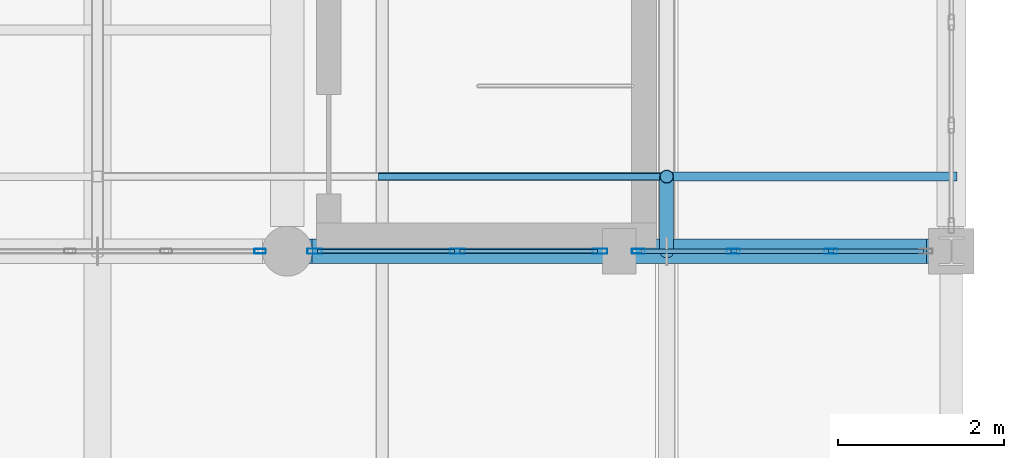
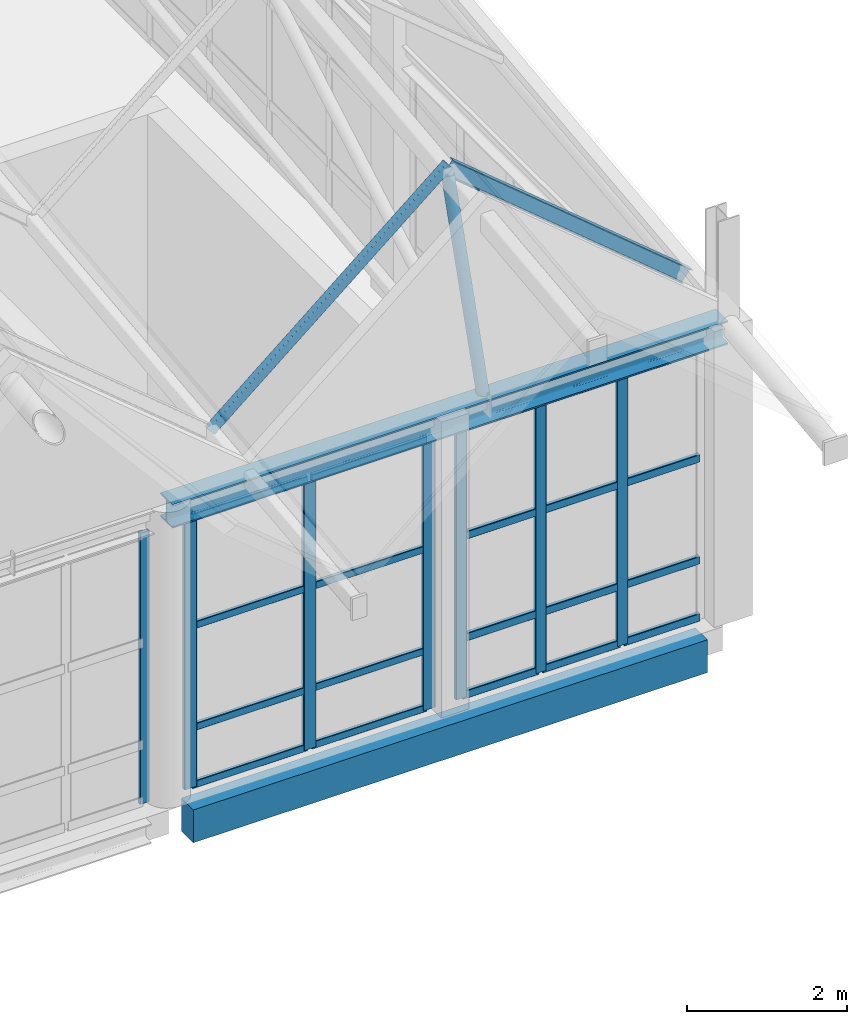
# One storey, part 83 of 183: 30 members, 2 beams, 3 elements without a shape of their own.
"""IFC4 building model written with IfcOpenShell, lengths in metres."""

from ifc_helpers import new_model, si_unit, direction, frame, origin, origin_2d, place, context, subcontext, project, spatial, rectangle, hollow_rectangle, hollow_circle, i_section, extrude, material, material_profile, profile_set, type_object, element, aggregate, save


model = new_model("IFC4")

# Units and contexts
model_context = context("Model", 3, precision=1e-05, world=origin(), true_north=direction((0.0, 1.0)))
body_context = subcontext(model_context, "Body", "Model", "MODEL_VIEW")
ifc_project = project(units=[si_unit("LENGTHUNIT", "METRE"), si_unit("AREAUNIT", "SQUARE_METRE"), si_unit("VOLUMEUNIT", "CUBIC_METRE"), si_unit("PLANEANGLEUNIT", "RADIAN"), si_unit("MASSUNIT", "GRAM", prefix="KILO")], contexts=[model_context])

# Site, building, storey
site_placement = place(None, origin())
site = spatial("IfcSite", under=ifc_project, at=site_placement, CompositionType="ELEMENT")
building_placement = place(site_placement, origin())
building = spatial("IfcBuilding", under=site, at=building_placement, Name="Luwemba Playhouse", CompositionType="ELEMENT")
storey_placement = place(building_placement, frame((0.0, 0.0, 4.800048828125)))
storey = spatial("IfcBuildingStorey", under=building, at=storey_placement, Name="L01", CompositionType="ELEMENT", Elevation=4.800048828125)

# Beams
ifc_material_1 = material(Name="Steel S355", Category="steel")
ifc_material_profile_1 = material_profile(ifc_material_1, i_section(OverallWidth=0.300048828125, OverallDepth=0.360107421875, WebThickness=0.012451171875, FlangeThickness=0.0224609375, FilletRadius=0.027099609375, at=origin_2d()))
ifc_profile_set_1 = profile_set([ifc_material_profile_1], Name="Steel S355")
beam_type_1 = type_object("IfcBeamType", Name="BM-SB09", PredefinedType="BEAM", material=ifc_profile_set_1)
beam_1_placement = place(storey_placement, frame((164.0, 3.0, 4.320068359375), z_axis=(1.0, 0.0, 0.0), x_axis=(0.0, 1.0, 0.0)))
element("IfcBeam", 1, at=beam_1_placement, inside=storey, type_object=beam_type_1, Name="RF-V5E eave ring beam 0296", PredefinedType="BEAM", context=body_context, shape_type="SweptSolid", body=[
    extrude(i_section(OverallWidth=0.300048828125, OverallDepth=0.360107421875, WebThickness=0.012451171875, FlangeThickness=0.0224609375, FilletRadius=0.027099609375, at=origin_2d()), origin(), (0.0, 0.0, 1.0), 8.0),
])
ifc_material_2 = material(Name="Concrete C40/50", Category="concrete")
ifc_material_profile_2 = material_profile(ifc_material_2, rectangle(XDim=0.300048828125, YDim=0.5, at=origin_2d()))
ifc_profile_set_2 = profile_set([ifc_material_profile_2], Name="Concrete C40/50")
beam_type_2 = type_object("IfcBeamType", Name="BM-SP1", PredefinedType="SPANDREL", material=ifc_profile_set_2)
beam_2_placement = place(storey_placement, frame((164.300048828125, 3.0, -0.5), z_axis=(1.0, 0.0, 0.0), x_axis=(0.0, 1.0, 0.0)))
element("IfcBeam", 2, at=beam_2_placement, inside=storey, type_object=beam_type_2, Name="L01 grid girder 0524", PredefinedType="SPANDREL", context=body_context, shape_type="SweptSolid", body=[
    extrude(rectangle(XDim=0.300048828125, YDim=0.5, at=origin_2d()), origin(), (0.0, 0.0, 1.0), 7.39990234375),
])

# Curtain wall, members
ifc_material_3 = material(Name="Solar-control double glazing", Category="glass")
curtain_wall_type_1 = type_object("IfcCurtainWallType", Name="CW-CW128", PredefinedType="USERDEFINED", material=ifc_material_3)
curtain_wall_1_placement = place(storey_placement, origin())
curtain_wall_1 = element("IfcCurtainWall", 3, at=curtain_wall_1_placement, inside=storey, type_object=curtain_wall_type_1, Name="L01 V5E unitised curtain wall 170", ObjectType="UNITISED GLAZING", PredefinedType="USERDEFINED")
ifc_material_4 = material(Name="Aluminium 6063-T6", Category="aluminium")
ifc_material_profile_3 = material_profile(ifc_material_4, hollow_rectangle(XDim=0.06005859375, YDim=0.159912109375, WallThickness=0.00390625, InnerFilletRadius=0.006103515625, OuterFilletRadius=0.010009765625, at=origin_2d()))
ifc_profile_set_3 = profile_set([ifc_material_profile_3], Name="Aluminium 6063-T6")
member_type_1 = type_object("IfcMemberType", Name="CWM-M1", PredefinedType="MULLION", material=ifc_profile_set_3)
member_1_placement = place(storey_placement, frame((170.550048828125, 3.0, 0.0), z_axis=(0.0, 0.0, 1.0), x_axis=(0.0, -1.0, 0.0)))
member_1 = element("IfcMember", 4, at=member_1_placement, type_object=member_type_1, Name="CW128 mullion 2", PredefinedType="MULLION", context=body_context, shape_type="SweptSolid", body=[
    extrude(hollow_rectangle(XDim=0.06005859375, YDim=0.159912109375, WallThickness=0.00390625, InnerFilletRadius=0.006103515625, OuterFilletRadius=0.010009765625, at=origin_2d()), origin(), (0.0, 0.0, 1.0), 4.125),
])
member_2_placement = place(storey_placement, frame((169.375, 3.0, 0.0), z_axis=(0.0, 0.0, 1.0), x_axis=(0.0, -1.0, 0.0)))
member_2 = element("IfcMember", 5, at=member_2_placement, type_object=member_type_1, Name="CW128 mullion 3", PredefinedType="MULLION", context=body_context, shape_type="SweptSolid", body=[
    extrude(hollow_rectangle(XDim=0.06005859375, YDim=0.159912109375, WallThickness=0.00390625, InnerFilletRadius=0.006103515625, OuterFilletRadius=0.010009765625, at=origin_2d()), origin(), (0.0, 0.0, 1.0), 4.125),
])
member_3_placement = place(storey_placement, frame((168.22998046875, 3.0, 0.0), z_axis=(0.0, 0.0, 1.0), x_axis=(0.0, -1.0, 0.0)))
member_3 = element("IfcMember", 6, at=member_3_placement, type_object=member_type_1, Name="CW128 mullion 4", PredefinedType="MULLION", context=body_context, shape_type="SweptSolid", body=[
    extrude(hollow_rectangle(XDim=0.06005859375, YDim=0.159912109375, WallThickness=0.00390625, InnerFilletRadius=0.006103515625, OuterFilletRadius=0.010009765625, at=origin_2d()), origin(), (0.0, 0.0, 1.0), 4.125),
])

curtain_wall_type_2 = type_object("IfcCurtainWallType", Name="CW-CW125", PredefinedType="USERDEFINED", material=ifc_material_3)
curtain_wall_2_placement = place(storey_placement, origin())
curtain_wall_2 = element("IfcCurtainWall", 7, at=curtain_wall_2_placement, inside=storey, type_object=curtain_wall_type_2, Name="L01 V5E unitised curtain wall 171", ObjectType="UNITISED GLAZING", PredefinedType="USERDEFINED")
ifc_material_profile_4 = material_profile(ifc_material_4, hollow_rectangle(XDim=0.06494140625, YDim=0.179931640625, WallThickness=0.00439453125, InnerFilletRadius=0.0068359375, OuterFilletRadius=0.01123046875, at=origin_2d()))
ifc_profile_set_4 = profile_set([ifc_material_profile_4], Name="Aluminium 6063-T6")
member_type_2 = type_object("IfcMemberType", Name="CWM-M2", PredefinedType="MULLION", material=ifc_profile_set_4)
member_4_placement = place(storey_placement, frame((167.767578125, 3.0, 0.0), z_axis=(0.0, 0.0, 1.0), x_axis=(0.0, -1.0, 0.0)))
member_4 = element("IfcMember", 8, at=member_4_placement, type_object=member_type_2, Name="CW125 mullion 1", PredefinedType="MULLION", context=body_context, shape_type="SweptSolid", body=[
    extrude(hollow_rectangle(XDim=0.06494140625, YDim=0.179931640625, WallThickness=0.00439453125, InnerFilletRadius=0.0068359375, OuterFilletRadius=0.01123046875, at=origin_2d()), origin(), (0.0, 0.0, 1.0), 4.125),
])
member_5_placement = place(storey_placement, frame((166.050048828125, 3.0, 0.0), z_axis=(0.0, 0.0, 1.0), x_axis=(0.0, -1.0, 0.0)))
member_5 = element("IfcMember", 9, at=member_5_placement, type_object=member_type_2, Name="CW125 mullion 2", PredefinedType="MULLION", context=body_context, shape_type="SweptSolid", body=[
    extrude(hollow_rectangle(XDim=0.06494140625, YDim=0.179931640625, WallThickness=0.00439453125, InnerFilletRadius=0.0068359375, OuterFilletRadius=0.01123046875, at=origin_2d()), origin(), (0.0, 0.0, 1.0), 4.125),
])
member_6_placement = place(storey_placement, frame((164.33251953125, 3.0, 0.0), z_axis=(0.0, 0.0, 1.0), x_axis=(0.0, -1.0, 0.0)))
member_6 = element("IfcMember", 10, at=member_6_placement, type_object=member_type_2, Name="CW125 mullion 3", PredefinedType="MULLION", context=body_context, shape_type="SweptSolid", body=[
    extrude(hollow_rectangle(XDim=0.06494140625, YDim=0.179931640625, WallThickness=0.00439453125, InnerFilletRadius=0.0068359375, OuterFilletRadius=0.01123046875, at=origin_2d()), origin(), (0.0, 0.0, 1.0), 4.125),
])

# Curtain wall, member
curtain_wall_type_3 = type_object("IfcCurtainWallType", Name="CW-CW118", PredefinedType="USERDEFINED", material=ifc_material_3)
curtain_wall_3_placement = place(storey_placement, origin())
curtain_wall_3 = element("IfcCurtainWall", 11, at=curtain_wall_3_placement, inside=storey, type_object=curtain_wall_type_3, Name="L01 V5E unitised curtain wall 172", ObjectType="UNITISED GLAZING", PredefinedType="USERDEFINED")
ifc_material_profile_5 = material_profile(ifc_material_4, hollow_rectangle(XDim=0.054931640625, YDim=0.139892578125, WallThickness=0.00390625, InnerFilletRadius=0.006103515625, OuterFilletRadius=0.010009765625, at=origin_2d()))
ifc_profile_set_5 = profile_set([ifc_material_profile_5], Name="Aluminium 6063-T6")
member_type_3 = type_object("IfcMemberType", Name="CWM-M3", PredefinedType="MULLION", material=ifc_profile_set_5)
member_7_placement = place(storey_placement, frame((163.672607421875, 3.0, 0.0), z_axis=(0.0, 0.0, 1.0), x_axis=(0.0, -1.0, 0.0)))
member_7 = element("IfcMember", 12, at=member_7_placement, type_object=member_type_3, Name="CW118 mullion 1", PredefinedType="MULLION", context=body_context, shape_type="SweptSolid", body=[
    extrude(hollow_rectangle(XDim=0.054931640625, YDim=0.139892578125, WallThickness=0.00390625, InnerFilletRadius=0.006103515625, OuterFilletRadius=0.010009765625, at=origin_2d()), origin(), (0.0, 0.0, 1.0), 4.125),
])
aggregate(curtain_wall_3, [member_7])

# Member
ifc_material_profile_6 = material_profile(ifc_material_4, hollow_rectangle(XDim=0.06005859375, YDim=0.1201171875, WallThickness=0.00390625, InnerFilletRadius=0.006103515625, OuterFilletRadius=0.010009765625, at=origin_2d()))
ifc_profile_set_6 = profile_set([ifc_material_profile_6], Name="Aluminium 6063-T6")
member_type_4 = type_object("IfcMemberType", Name="CWT-T1", PredefinedType="USERDEFINED", material=ifc_profile_set_6)
member_8_placement = place(storey_placement, frame((171.6650390625, 3.0, 0.030029296875), z_axis=(-1.0, 0.0, 0.0), x_axis=(0.0, -1.0, 0.0)))
member_8 = element("IfcMember", 13, at=member_8_placement, type_object=member_type_4, Name="CW128 transom 1.1", ObjectType="TRANSOM", PredefinedType="USERDEFINED", context=body_context, shape_type="SweptSolid", body=[
    extrude(hollow_rectangle(XDim=0.06005859375, YDim=0.1201171875, WallThickness=0.00390625, InnerFilletRadius=0.006103515625, OuterFilletRadius=0.010009765625, at=origin_2d()), origin(), (0.0, 0.0, 1.0), 1.0849609375),
])

member_9_placement = place(storey_placement, frame((171.6650390625, 3.0, 0.89990234375), z_axis=(-1.0, 0.0, 0.0), x_axis=(0.0, -1.0, 0.0)))
member_9 = element("IfcMember", 14, at=member_9_placement, type_object=member_type_4, Name="CW128 transom 1.2", ObjectType="TRANSOM", PredefinedType="USERDEFINED", context=body_context, shape_type="SweptSolid", body=[
    extrude(hollow_rectangle(XDim=0.06005859375, YDim=0.1201171875, WallThickness=0.00390625, InnerFilletRadius=0.006103515625, OuterFilletRadius=0.010009765625, at=origin_2d()), origin(), (0.0, 0.0, 1.0), 1.0849609375),
])

member_10_placement = place(storey_placement, frame((171.6650390625, 3.0, 2.449951171875), z_axis=(-1.0, 0.0, 0.0), x_axis=(0.0, -1.0, 0.0)))
member_10 = element("IfcMember", 15, at=member_10_placement, type_object=member_type_4, Name="CW128 transom 1.3", ObjectType="TRANSOM", PredefinedType="USERDEFINED", context=body_context, shape_type="SweptSolid", body=[
    extrude(hollow_rectangle(XDim=0.06005859375, YDim=0.1201171875, WallThickness=0.00390625, InnerFilletRadius=0.006103515625, OuterFilletRadius=0.010009765625, at=origin_2d()), origin(), (0.0, 0.0, 1.0), 1.0849609375),
])

member_11_placement = place(storey_placement, frame((171.6650390625, 3.0, 4.094970703125), z_axis=(-1.0, 0.0, 0.0), x_axis=(0.0, -1.0, 0.0)))
member_11 = element("IfcMember", 16, at=member_11_placement, type_object=member_type_4, Name="CW128 transom 1.4", ObjectType="TRANSOM", PredefinedType="USERDEFINED", context=body_context, shape_type="SweptSolid", body=[
    extrude(hollow_rectangle(XDim=0.06005859375, YDim=0.1201171875, WallThickness=0.00390625, InnerFilletRadius=0.006103515625, OuterFilletRadius=0.010009765625, at=origin_2d()), origin(), (0.0, 0.0, 1.0), 1.0849609375),
])

member_12_placement = place(storey_placement, frame((170.52001953125, 3.0, 0.030029296875), z_axis=(-1.0, 0.0, 0.0), x_axis=(0.0, -1.0, 0.0)))
member_12 = element("IfcMember", 17, at=member_12_placement, type_object=member_type_4, Name="CW128 transom 2.1", ObjectType="TRANSOM", PredefinedType="USERDEFINED", context=body_context, shape_type="SweptSolid", body=[
    extrude(hollow_rectangle(XDim=0.06005859375, YDim=0.1201171875, WallThickness=0.00390625, InnerFilletRadius=0.006103515625, OuterFilletRadius=0.010009765625, at=origin_2d()), origin(), (0.0, 0.0, 1.0), 1.114990234375),
])

member_13_placement = place(storey_placement, frame((170.52001953125, 3.0, 0.89990234375), z_axis=(-1.0, 0.0, 0.0), x_axis=(0.0, -1.0, 0.0)))
member_13 = element("IfcMember", 18, at=member_13_placement, type_object=member_type_4, Name="CW128 transom 2.2", ObjectType="TRANSOM", PredefinedType="USERDEFINED", context=body_context, shape_type="SweptSolid", body=[
    extrude(hollow_rectangle(XDim=0.06005859375, YDim=0.1201171875, WallThickness=0.00390625, InnerFilletRadius=0.006103515625, OuterFilletRadius=0.010009765625, at=origin_2d()), origin(), (0.0, 0.0, 1.0), 1.114990234375),
])

member_14_placement = place(storey_placement, frame((170.52001953125, 3.0, 2.449951171875), z_axis=(-1.0, 0.0, 0.0), x_axis=(0.0, -1.0, 0.0)))
member_14 = element("IfcMember", 19, at=member_14_placement, type_object=member_type_4, Name="CW128 transom 2.3", ObjectType="TRANSOM", PredefinedType="USERDEFINED", context=body_context, shape_type="SweptSolid", body=[
    extrude(hollow_rectangle(XDim=0.06005859375, YDim=0.1201171875, WallThickness=0.00390625, InnerFilletRadius=0.006103515625, OuterFilletRadius=0.010009765625, at=origin_2d()), origin(), (0.0, 0.0, 1.0), 1.114990234375),
])

member_15_placement = place(storey_placement, frame((170.52001953125, 3.0, 4.094970703125), z_axis=(-1.0, 0.0, 0.0), x_axis=(0.0, -1.0, 0.0)))
member_15 = element("IfcMember", 20, at=member_15_placement, type_object=member_type_4, Name="CW128 transom 2.4", ObjectType="TRANSOM", PredefinedType="USERDEFINED", context=body_context, shape_type="SweptSolid", body=[
    extrude(hollow_rectangle(XDim=0.06005859375, YDim=0.1201171875, WallThickness=0.00390625, InnerFilletRadius=0.006103515625, OuterFilletRadius=0.010009765625, at=origin_2d()), origin(), (0.0, 0.0, 1.0), 1.114990234375),
])

member_16_placement = place(storey_placement, frame((169.344970703125, 3.0, 0.030029296875), z_axis=(-1.0, 0.0, 0.0), x_axis=(0.0, -1.0, 0.0)))
member_16 = element("IfcMember", 21, at=member_16_placement, type_object=member_type_4, Name="CW128 transom 3.1", ObjectType="TRANSOM", PredefinedType="USERDEFINED", context=body_context, shape_type="SweptSolid", body=[
    extrude(hollow_rectangle(XDim=0.06005859375, YDim=0.1201171875, WallThickness=0.00390625, InnerFilletRadius=0.006103515625, OuterFilletRadius=0.010009765625, at=origin_2d()), origin(), (0.0, 0.0, 1.0), 1.0849609375),
])

member_17_placement = place(storey_placement, frame((169.344970703125, 3.0, 0.89990234375), z_axis=(-1.0, 0.0, 0.0), x_axis=(0.0, -1.0, 0.0)))
member_17 = element("IfcMember", 22, at=member_17_placement, type_object=member_type_4, Name="CW128 transom 3.2", ObjectType="TRANSOM", PredefinedType="USERDEFINED", context=body_context, shape_type="SweptSolid", body=[
    extrude(hollow_rectangle(XDim=0.06005859375, YDim=0.1201171875, WallThickness=0.00390625, InnerFilletRadius=0.006103515625, OuterFilletRadius=0.010009765625, at=origin_2d()), origin(), (0.0, 0.0, 1.0), 1.0849609375),
])

member_18_placement = place(storey_placement, frame((169.344970703125, 3.0, 2.449951171875), z_axis=(-1.0, 0.0, 0.0), x_axis=(0.0, -1.0, 0.0)))
member_18 = element("IfcMember", 23, at=member_18_placement, type_object=member_type_4, Name="CW128 transom 3.3", ObjectType="TRANSOM", PredefinedType="USERDEFINED", context=body_context, shape_type="SweptSolid", body=[
    extrude(hollow_rectangle(XDim=0.06005859375, YDim=0.1201171875, WallThickness=0.00390625, InnerFilletRadius=0.006103515625, OuterFilletRadius=0.010009765625, at=origin_2d()), origin(), (0.0, 0.0, 1.0), 1.0849609375),
])

member_19_placement = place(storey_placement, frame((169.344970703125, 3.0, 4.094970703125), z_axis=(-1.0, 0.0, 0.0), x_axis=(0.0, -1.0, 0.0)))
member_19 = element("IfcMember", 24, at=member_19_placement, type_object=member_type_4, Name="CW128 transom 3.4", ObjectType="TRANSOM", PredefinedType="USERDEFINED", context=body_context, shape_type="SweptSolid", body=[
    extrude(hollow_rectangle(XDim=0.06005859375, YDim=0.1201171875, WallThickness=0.00390625, InnerFilletRadius=0.006103515625, OuterFilletRadius=0.010009765625, at=origin_2d()), origin(), (0.0, 0.0, 1.0), 1.0849609375),
])

aggregate(curtain_wall_1, [member_1, member_2, member_3, member_8, member_9, member_10, member_11, member_12, member_13, member_14, member_15, member_16, member_17, member_18, member_19])

ifc_material_profile_7 = material_profile(ifc_material_4, hollow_rectangle(XDim=0.054931640625, YDim=0.110107421875, WallThickness=0.00341796875, InnerFilletRadius=0.00537109375, OuterFilletRadius=0.0087890625, at=origin_2d()))
ifc_profile_set_7 = profile_set([ifc_material_profile_7], Name="Aluminium 6063-T6")
member_type_5 = type_object("IfcMemberType", Name="CWT-T2", PredefinedType="USERDEFINED", material=ifc_profile_set_7)
member_20_placement = place(storey_placement, frame((167.735107421875, 3.0, 0.02734375), z_axis=(-1.0, 0.0, 0.0), x_axis=(0.0, -1.0, 0.0)))
member_20 = element("IfcMember", 25, at=member_20_placement, type_object=member_type_5, Name="CW125 transom 1.1", ObjectType="TRANSOM", PredefinedType="USERDEFINED", context=body_context, shape_type="SweptSolid", body=[
    extrude(hollow_rectangle(XDim=0.054931640625, YDim=0.110107421875, WallThickness=0.00341796875, InnerFilletRadius=0.00537109375, OuterFilletRadius=0.0087890625, at=origin_2d()), origin(), (0.0, 0.0, 1.0), 1.652587890625),
])

member_21_placement = place(storey_placement, frame((167.735107421875, 3.0, 0.89990234375), z_axis=(-1.0, 0.0, 0.0), x_axis=(0.0, -1.0, 0.0)))
member_21 = element("IfcMember", 26, at=member_21_placement, type_object=member_type_5, Name="CW125 transom 1.2", ObjectType="TRANSOM", PredefinedType="USERDEFINED", context=body_context, shape_type="SweptSolid", body=[
    extrude(hollow_rectangle(XDim=0.054931640625, YDim=0.110107421875, WallThickness=0.00341796875, InnerFilletRadius=0.00537109375, OuterFilletRadius=0.0087890625, at=origin_2d()), origin(), (0.0, 0.0, 1.0), 1.652587890625),
])

member_22_placement = place(storey_placement, frame((167.735107421875, 3.0, 2.449951171875), z_axis=(-1.0, 0.0, 0.0), x_axis=(0.0, -1.0, 0.0)))
member_22 = element("IfcMember", 27, at=member_22_placement, type_object=member_type_5, Name="CW125 transom 1.3", ObjectType="TRANSOM", PredefinedType="USERDEFINED", context=body_context, shape_type="SweptSolid", body=[
    extrude(hollow_rectangle(XDim=0.054931640625, YDim=0.110107421875, WallThickness=0.00341796875, InnerFilletRadius=0.00537109375, OuterFilletRadius=0.0087890625, at=origin_2d()), origin(), (0.0, 0.0, 1.0), 1.652587890625),
])

member_23_placement = place(storey_placement, frame((167.735107421875, 3.0, 4.097412109375), z_axis=(-1.0, 0.0, 0.0), x_axis=(0.0, -1.0, 0.0)))
member_23 = element("IfcMember", 28, at=member_23_placement, type_object=member_type_5, Name="CW125 transom 1.4", ObjectType="TRANSOM", PredefinedType="USERDEFINED", context=body_context, shape_type="SweptSolid", body=[
    extrude(hollow_rectangle(XDim=0.054931640625, YDim=0.110107421875, WallThickness=0.00341796875, InnerFilletRadius=0.00537109375, OuterFilletRadius=0.0087890625, at=origin_2d()), origin(), (0.0, 0.0, 1.0), 1.652587890625),
])

member_24_placement = place(storey_placement, frame((166.017578125, 3.0, 0.02734375), z_axis=(-1.0, 0.0, 0.0), x_axis=(0.0, -1.0, 0.0)))
member_24 = element("IfcMember", 29, at=member_24_placement, type_object=member_type_5, Name="CW125 transom 2.1", ObjectType="TRANSOM", PredefinedType="USERDEFINED", context=body_context, shape_type="SweptSolid", body=[
    extrude(hollow_rectangle(XDim=0.054931640625, YDim=0.110107421875, WallThickness=0.00341796875, InnerFilletRadius=0.00537109375, OuterFilletRadius=0.0087890625, at=origin_2d()), origin(), (0.0, 0.0, 1.0), 1.652587890625),
])

member_25_placement = place(storey_placement, frame((166.017578125, 3.0, 0.89990234375), z_axis=(-1.0, 0.0, 0.0), x_axis=(0.0, -1.0, 0.0)))
member_25 = element("IfcMember", 30, at=member_25_placement, type_object=member_type_5, Name="CW125 transom 2.2", ObjectType="TRANSOM", PredefinedType="USERDEFINED", context=body_context, shape_type="SweptSolid", body=[
    extrude(hollow_rectangle(XDim=0.054931640625, YDim=0.110107421875, WallThickness=0.00341796875, InnerFilletRadius=0.00537109375, OuterFilletRadius=0.0087890625, at=origin_2d()), origin(), (0.0, 0.0, 1.0), 1.652587890625),
])

member_26_placement = place(storey_placement, frame((166.017578125, 3.0, 2.449951171875), z_axis=(-1.0, 0.0, 0.0), x_axis=(0.0, -1.0, 0.0)))
member_26 = element("IfcMember", 31, at=member_26_placement, type_object=member_type_5, Name="CW125 transom 2.3", ObjectType="TRANSOM", PredefinedType="USERDEFINED", context=body_context, shape_type="SweptSolid", body=[
    extrude(hollow_rectangle(XDim=0.054931640625, YDim=0.110107421875, WallThickness=0.00341796875, InnerFilletRadius=0.00537109375, OuterFilletRadius=0.0087890625, at=origin_2d()), origin(), (0.0, 0.0, 1.0), 1.652587890625),
])

member_27_placement = place(storey_placement, frame((166.017578125, 3.0, 4.097412109375), z_axis=(-1.0, 0.0, 0.0), x_axis=(0.0, -1.0, 0.0)))
member_27 = element("IfcMember", 32, at=member_27_placement, type_object=member_type_5, Name="CW125 transom 2.4", ObjectType="TRANSOM", PredefinedType="USERDEFINED", context=body_context, shape_type="SweptSolid", body=[
    extrude(hollow_rectangle(XDim=0.054931640625, YDim=0.110107421875, WallThickness=0.00341796875, InnerFilletRadius=0.00537109375, OuterFilletRadius=0.0087890625, at=origin_2d()), origin(), (0.0, 0.0, 1.0), 1.652587890625),
])

aggregate(curtain_wall_2, [member_4, member_5, member_6, member_20, member_21, member_22, member_23, member_24, member_25, member_26, member_27])

# Members
ifc_material_profile_8 = material_profile(ifc_material_1, hollow_circle(Radius=0.084228515625, WallThickness=0.008056640625, at=origin_2d()))
ifc_profile_set_8 = profile_set([ifc_material_profile_8], Name="Steel S355")
member_type_6 = type_object("IfcMemberType", Name="MEM-MB02", PredefinedType="BRACE", material=ifc_profile_set_8)
member_28_placement = place(storey_placement, frame((168.5712890625, 3.0, 4.39990234375), z_axis=(0.0, 0.297773567403, 0.954636529029), x_axis=(-1.0, 0.0, 0.0)))
element("IfcMember", 33, at=member_28_placement, inside=storey, type_object=member_type_6, Name="ROOF TRUSS eave knee strut 0084", PredefinedType="BRACE", context=body_context, shape_type="SweptSolid", body=[
    extrude(hollow_circle(Radius=0.084228515625, WallThickness=0.008056640625, at=origin_2d()), origin(), (0.0, 0.0, 1.0), 3.022216796875),
])
ifc_material_profile_9 = material_profile(ifc_material_1, hollow_rectangle(XDim=0.10009765625, YDim=0.14990234375, WallThickness=0.008056640625, InnerFilletRadius=0.011962890625, OuterFilletRadius=0.02001953125, at=origin_2d()))
ifc_profile_set_9 = profile_set([ifc_material_profile_9], Name="Steel S355")
member_type_7 = type_object("IfcMemberType", Name="MEM-MP02", PredefinedType="PURLIN", material=ifc_profile_set_9)
member_29_placement = place(storey_placement, frame((165.142822265625, 3.89990234375, 4.593994140625), z_axis=(0.768342353216, 0.0, 0.640039083381), x_axis=(0.0, 1.0, 0.0)))
element("IfcMember", 34, at=member_29_placement, inside=storey, type_object=member_type_7, Name="Pleated roof purlin 0601", PredefinedType="PURLIN", context=body_context, shape_type="SweptSolid", body=[
    extrude(hollow_rectangle(XDim=0.10009765625, YDim=0.14990234375, WallThickness=0.008056640625, InnerFilletRadius=0.011962890625, OuterFilletRadius=0.02001953125, at=origin_2d()), origin(), (0.0, 0.0, 1.0), 4.462158203125),
])
ifc_material_profile_10 = material_profile(ifc_material_1, i_section(OverallWidth=0.110107421875, OverallDepth=0.219970703125, WebThickness=0.005859375, FlangeThickness=0.00927734375, FilletRadius=0.011962890625, at=origin_2d()))
ifc_profile_set_10 = profile_set([ifc_material_profile_10], Name="Steel S355")
member_type_8 = type_object("IfcMemberType", Name="MEM-MP08", PredefinedType="PURLIN", material=ifc_profile_set_10)
member_30_placement = place(storey_placement, frame((168.5712890625, 3.89990234375, 7.410888671875), z_axis=(0.768364765209, 0.0, -0.640012177685), x_axis=(0.0, 1.0, 0.0)))
element("IfcMember", 35, at=member_30_placement, inside=storey, type_object=member_type_8, Name="Pleated roof purlin 0607", PredefinedType="PURLIN", context=body_context, shape_type="SweptSolid", body=[
    extrude(i_section(OverallWidth=0.110107421875, OverallDepth=0.219970703125, WebThickness=0.005859375, FlangeThickness=0.00927734375, FilletRadius=0.011962890625, at=origin_2d()), origin(), (0.0, 0.0, 1.0), 4.46240234375),
])

save(model, "model.ifc")
